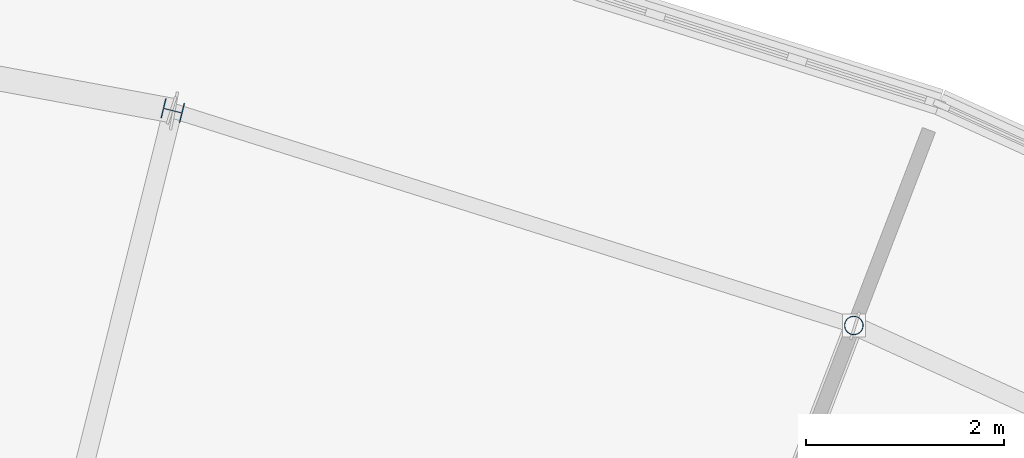
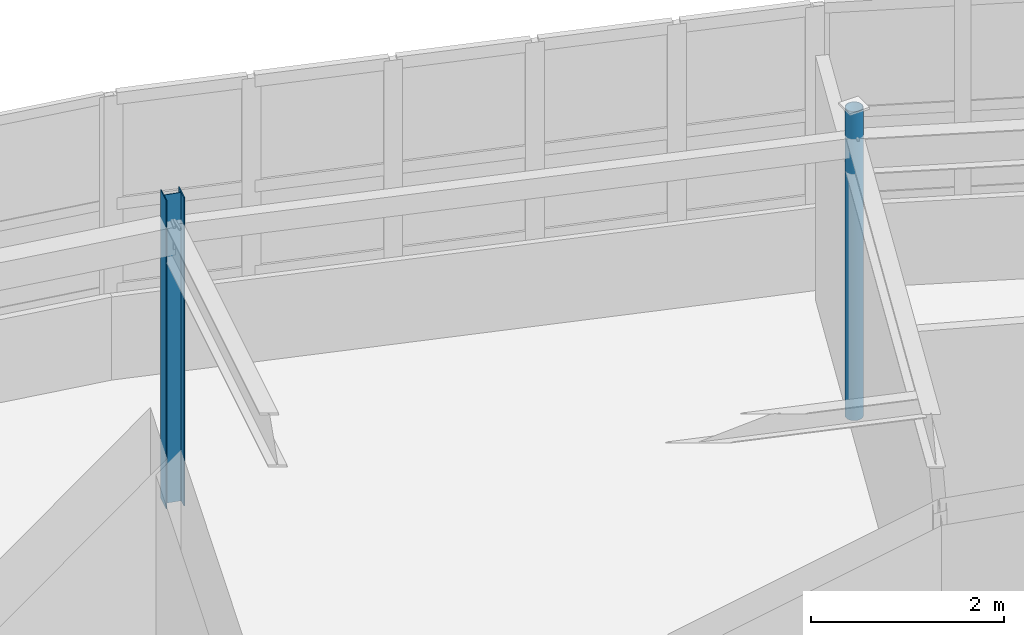
# One storey, part 15 of 79: 2 columns.
"""IFC4 building model written with IfcOpenShell, lengths in metres."""

from ifc_helpers import new_model, si_unit, direction, frame, origin, origin_2d, place, context, subcontext, project, spatial, hollow_circle, i_section, extrude, material, material_profile, profile_set, type_object, element, save


model = new_model("IFC4")

# Units and contexts
model_context = context("Model", 3, precision=1e-05, world=origin(), true_north=direction((0.0, 1.0)))
body_context = subcontext(model_context, "Body", "Model", "MODEL_VIEW")
ifc_project = project(units=[si_unit("LENGTHUNIT", "METRE"), si_unit("AREAUNIT", "SQUARE_METRE"), si_unit("VOLUMEUNIT", "CUBIC_METRE"), si_unit("PLANEANGLEUNIT", "RADIAN"), si_unit("MASSUNIT", "GRAM", prefix="KILO")], contexts=[model_context])

# Site, building, storey
site_placement = place(None, origin())
site = spatial("IfcSite", under=ifc_project, at=site_placement, CompositionType="ELEMENT")
building_placement = place(site_placement, origin())
building = spatial("IfcBuilding", under=site, at=building_placement, Name="Tarnwether General Hospital", CompositionType="ELEMENT")
storey_placement = place(building_placement, frame((0.0, 0.0, 18.300048828125)))
storey = spatial("IfcBuildingStorey", under=building, at=storey_placement, Name="L04", CompositionType="ELEMENT", Elevation=18.300048828125)

# Columns
ifc_material_1 = material(Name="Steel Grade 350 (350 MPa)", Category="steel")
ifc_material_profile_1 = material_profile(ifc_material_1, i_section(OverallWidth=0.202880859375, OverallDepth=0.202880859375, WebThickness=0.00732421875, FlangeThickness=0.010986328125, at=origin_2d()), Name="200UC46.2")
ifc_profile_set_1 = profile_set([ifc_material_profile_1], Name="Steel Grade 350 (350 MPa)")
column_type_1 = type_object("IfcColumnType", Name="COL-27", PredefinedType="COLUMN", material=ifc_profile_set_1)
column_1_placement = place(storey_placement, frame((106.322021484375, 120.44189453125, 0.0), z_axis=(0.0, 0.0, 1.0), x_axis=(0.2419218956, 0.970295726276, 0.0)))
element("IfcColumn", 1, at=column_1_placement, inside=storey, type_object=column_type_1, Name="Column COLG-L04-10632_12044", PredefinedType="COLUMN", context=body_context, shape_type="SweptSolid", body=[
    extrude(i_section(OverallWidth=0.202880859375, OverallDepth=0.202880859375, WebThickness=0.00732421875, FlangeThickness=0.010986328125, at=origin_2d()), origin(), (0.0, 0.0, 1.0), 3.89990234375),
])
ifc_material_2 = material(Name="Steel Grade C350L0 (350 MPa)", Category="steel")
ifc_material_profile_2 = material_profile(ifc_material_2, hollow_circle(Radius=0.096923828125, WallThickness=0.008056640625, at=origin_2d()), Name="CHS193.7x8.0")
ifc_profile_set_2 = profile_set([ifc_material_profile_2], Name="Steel Grade C350L0 (350 MPa)")
column_type_2 = type_object("IfcColumnType", Name="COL-29", PredefinedType="COLUMN", material=ifc_profile_set_2)
column_2_placement = place(storey_placement, frame((113.215087890625, 118.26806640625, 0.0), z_axis=(0.0, 0.0, 1.0), x_axis=(0.358367949545, 0.933580426497, 0.0)))
element("IfcColumn", 2, at=column_2_placement, inside=storey, type_object=column_type_2, Name="Column COLG-L04-11322_11827", PredefinedType="COLUMN", context=body_context, shape_type="SweptSolid", body=[
    extrude(hollow_circle(Radius=0.096923828125, WallThickness=0.008056640625, at=origin_2d()), origin(), (0.0, 0.0, 1.0), 3.89990234375),
])

save(model, "model.ifc")
